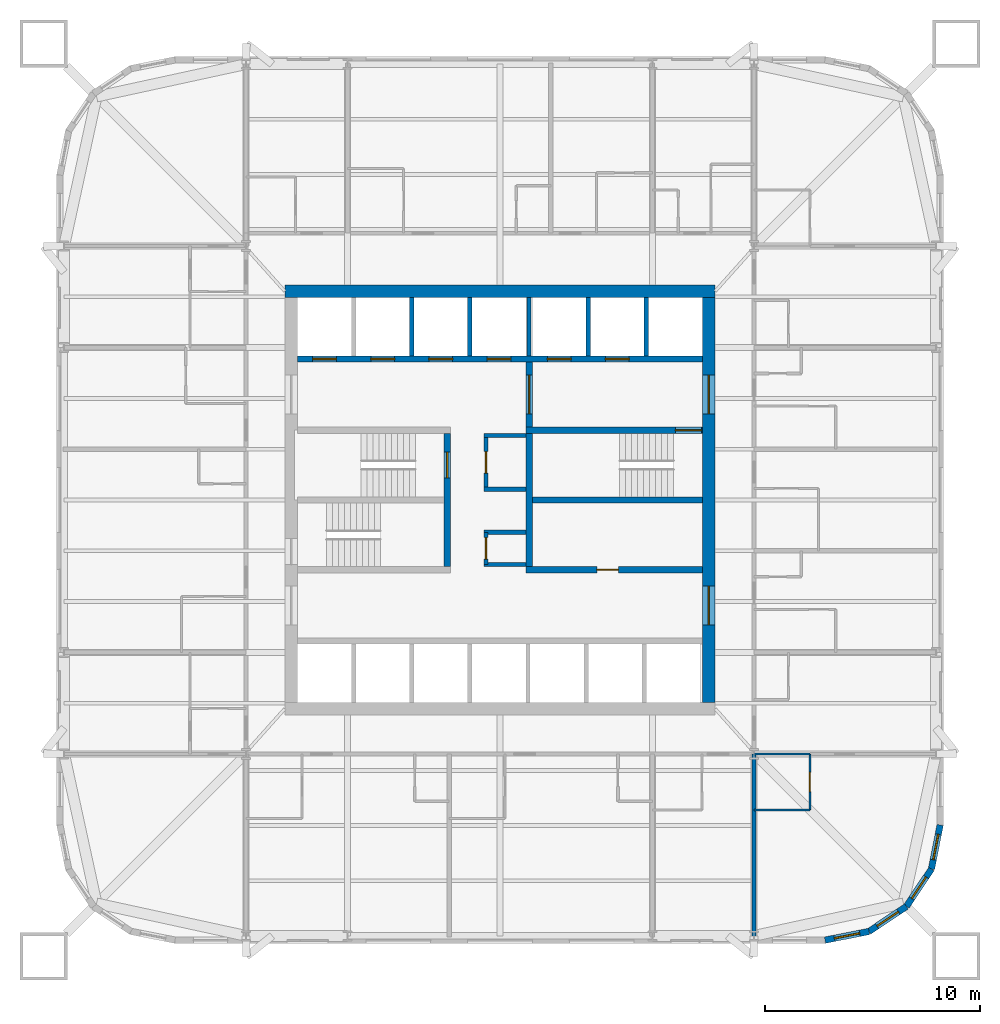
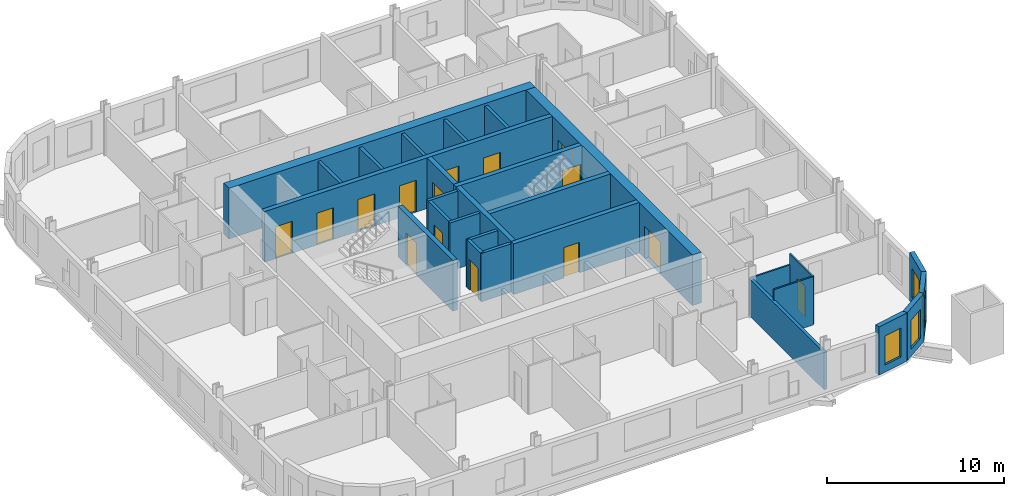
# One storey, part 5 of 9: 27 walls, 15 doors, 4 windows, 19 openings.
"""IFC4 building model written with IfcOpenShell, lengths in metres."""

from ifc_helpers import new_model, si_unit, direction, frame, frame_2d, origin, place, context, subcontext, project, spatial, rectangle, extrude, material, layer, layer_set, type_object, element, fill, save


model = new_model("IFC4")

# Units and contexts
model_context = context("Model", 3, precision=1e-05, world=origin(), true_north=direction((0.0, 1.0)))
body_context = subcontext(model_context, "Body", "Model", "MODEL_VIEW")
ifc_project = project(units=[si_unit("LENGTHUNIT", "METRE"), si_unit("AREAUNIT", "SQUARE_METRE"), si_unit("VOLUMEUNIT", "CUBIC_METRE"), si_unit("PLANEANGLEUNIT", "RADIAN"), si_unit("MASSUNIT", "GRAM", prefix="KILO")], contexts=[model_context])

# Site, building, storey
site_placement = place(None, origin())
site = spatial("IfcSite", under=ifc_project, at=site_placement, CompositionType="ELEMENT")
building_placement = place(site_placement, origin())
building = spatial("IfcBuilding", under=site, at=building_placement, Name="Turquesa Mirador Hotel Tower", CompositionType="ELEMENT")
storey_placement = place(building_placement, frame((0.0, 0.0, 107.39990234375)))
storey = spatial("IfcBuildingStorey", under=building, at=storey_placement, Name="L28", CompositionType="ELEMENT", Elevation=107.39990234375)

# Walls
ifc_material_1 = material(Name="Gypsum board on steel studs", Category="steel")
ifc_layer_1 = layer(ifc_material_1, 0.10009765625)
ifc_layer_set_1 = layer_set([ifc_layer_1], Name="BATHROOM WALL 100")
wall_type_1 = type_object("IfcWallType", Name="BATHROOM WALL 100", PredefinedType="PARTITIONING", material=ifc_layer_set_1)
wall_1_placement = place(storey_placement, frame((66.800048828125, 33.199951171875, 0.0), z_axis=(0.0, 0.0, 1.0), x_axis=(1.0, 0.0, 0.0)))
element("IfcWall", 1, at=wall_1_placement, inside=storey, type_object=wall_type_1, Name="Partition L28 001", PredefinedType="PARTITIONING", context=body_context, shape_type="SweptSolid", body=[
    extrude(rectangle(XDim=2.599853515625, YDim=0.10009765625, at=frame_2d((1.2998046875, 0.0))), origin(), (0.0, 0.0, 1.0), 2.5732421875),
])
wall_2_placement = place(storey_placement, frame((66.800048828125, 30.60009765625, 0.0), z_axis=(0.0, 0.0, 1.0), x_axis=(1.0, 0.0, 0.0)))
element("IfcWall", 2, at=wall_2_placement, inside=storey, type_object=wall_type_1, Name="Partition L28 008", PredefinedType="PARTITIONING", context=body_context, shape_type="SweptSolid", body=[
    extrude(rectangle(XDim=2.599853515625, YDim=0.10009765625, at=frame_2d((1.2998046875, 0.0))), origin(), (0.0, 0.0, 1.0), 3.330078125),
])

# Wall, opening, door
wall_3_placement = place(storey_placement, frame((69.39990234375, 30.60009765625, 0.0), z_axis=(0.0, 0.0, 1.0), x_axis=(0.0, 1.0, 0.0)))
wall_3 = element("IfcWall", 3, at=wall_3_placement, inside=storey, type_object=wall_type_1, Name="Partition L28 067", PredefinedType="PARTITIONING", context=body_context, shape_type="SweptSolid", body=[
    extrude(rectangle(XDim=2.599853515625, YDim=0.10009765625, at=frame_2d((1.2998046875, 0.0))), origin(), (0.0, 0.0, 1.0), 3.330078125),
])
opening_1_placement = place(wall_3_placement, frame((0.85009765625, 0.0, 0.0)))
opening_1 = element("IfcOpeningElement", 4, at=opening_1_placement, cuts=wall_3, Name="Opening D02", PredefinedType="OPENING", context=body_context, shape_type="SweptSolid", body=[
    extrude(rectangle(XDim=0.89990234375, YDim=2.10009765625, at=frame_2d((0.449951171875, 1.050048828125))), frame((0.0, 0.06005859375, 0.0), z_axis=(0.0, -1.0, 0.0), x_axis=(1.0, 0.0, 0.0)), (0.0, 0.0, 1.0), 0.1201171875),
])
ifc_material_2 = material(Name="Timber veneered door", Category="wood")
door_type_1 = type_object("IfcDoorType", Name="DOOR 900X2100 EN-SUITE", OperationType="SINGLE_SWING_RIGHT", PredefinedType="DOOR", material=ifc_material_2)
door_1_placement = place(opening_1_placement, origin())
door_1 = element("IfcDoor", 5, at=door_1_placement, inside=storey, type_object=door_type_1, Name="Door 2816B", OperationType="SINGLE_SWING_RIGHT", OverallHeight=2.10009765625, OverallWidth=0.89990234375, PredefinedType="DOOR", context=body_context, shape_type="SweptSolid", body=[
    extrude(rectangle(XDim=0.89990234375, YDim=2.10009765625, at=frame_2d((0.449951171875, 1.050048828125))), frame((0.0, 0.02490234375, 0.0), z_axis=(0.0, -1.0, 0.0), x_axis=(1.0, 0.0, 0.0)), (0.0, 0.0, 1.0), 0.050048828125),
])
fill(opening_1, door_1)

# Wall, openings, doors
ifc_material_3 = material(Name="Concrete C50/60", Category="concrete")
ifc_layer_2 = layer(ifc_material_3, 0.300048828125)
ifc_layer_set_2 = layer_set([ifc_layer_2], Name="CORE INNER WALL 300")
wall_type_2 = type_object("IfcWallType", Name="CORE INNER WALL 300", PredefinedType="SHEAR", material=ifc_layer_set_2)
wall_4_placement = place(storey_placement, frame((45.60009765625, 51.550048828125, 0.0), z_axis=(0.0, 0.0, 1.0), x_axis=(1.0, 0.0, 0.0)))
wall_4 = element("IfcWall", 6, at=wall_4_placement, inside=storey, type_object=wall_type_2, Name="Core wall NL", PredefinedType="SHEAR", context=body_context, shape_type="SweptSolid", body=[
    extrude(rectangle(XDim=18.7998046875, YDim=0.300048828125, at=frame_2d((9.39990234375, 0.0))), origin(), (0.0, 0.0, 1.0), 3.5),
])
opening_2_placement = place(wall_4_placement, frame((0.699951171875, 0.0, 0.0)))
opening_2 = element("IfcOpeningElement", 7, at=opening_2_placement, cuts=wall_4, Name="Opening LD", PredefinedType="OPENING", context=body_context, shape_type="SweptSolid", body=[
    extrude(rectangle(XDim=1.10009765625, YDim=2.199951171875, at=frame_2d((0.550048828125, 1.10009765625))), frame((0.0, 0.159912109375, 0.0), z_axis=(0.0, -1.0, 0.0), x_axis=(1.0, 0.0, 0.0)), (0.0, 0.0, 1.0), 0.320068359375),
])
opening_3_placement = place(wall_4_placement, frame((3.39990234375, 0.0, 0.0)))
opening_3 = element("IfcOpeningElement", 8, at=opening_3_placement, cuts=wall_4, Name="Opening LD", PredefinedType="OPENING", context=body_context, shape_type="SweptSolid", body=[
    extrude(rectangle(XDim=1.10009765625, YDim=2.199951171875, at=frame_2d((0.550048828125, 1.10009765625))), frame((0.0, 0.159912109375, 0.0), z_axis=(0.0, -1.0, 0.0), x_axis=(1.0, 0.0, 0.0)), (0.0, 0.0, 1.0), 0.320068359375),
])
opening_4_placement = place(wall_4_placement, frame((6.10009765625, 0.0, 0.0)))
opening_4 = element("IfcOpeningElement", 9, at=opening_4_placement, cuts=wall_4, Name="Opening LD", PredefinedType="OPENING", context=body_context, shape_type="SweptSolid", body=[
    extrude(rectangle(XDim=1.10009765625, YDim=2.199951171875, at=frame_2d((0.550048828125, 1.10009765625))), frame((0.0, 0.159912109375, 0.0), z_axis=(0.0, -1.0, 0.0), x_axis=(1.0, 0.0, 0.0)), (0.0, 0.0, 1.0), 0.320068359375),
])
opening_5_placement = place(wall_4_placement, frame((8.800048828125, 0.0, 0.0)))
opening_5 = element("IfcOpeningElement", 10, at=opening_5_placement, cuts=wall_4, Name="Opening LD", PredefinedType="OPENING", context=body_context, shape_type="SweptSolid", body=[
    extrude(rectangle(XDim=1.10009765625, YDim=2.199951171875, at=frame_2d((0.550048828125, 1.10009765625))), frame((0.0, 0.159912109375, 0.0), z_axis=(0.0, -1.0, 0.0), x_axis=(1.0, 0.0, 0.0)), (0.0, 0.0, 1.0), 0.320068359375),
])
opening_6_placement = place(wall_4_placement, frame((11.60009765625, 0.0, 0.0)))
opening_6 = element("IfcOpeningElement", 11, at=opening_6_placement, cuts=wall_4, Name="Opening LD", PredefinedType="OPENING", context=body_context, shape_type="SweptSolid", body=[
    extrude(rectangle(XDim=1.10009765625, YDim=2.199951171875, at=frame_2d((0.550048828125, 1.10009765625))), frame((0.0, 0.159912109375, 0.0), z_axis=(0.0, -1.0, 0.0), x_axis=(1.0, 0.0, 0.0)), (0.0, 0.0, 1.0), 0.320068359375),
])
opening_7_placement = place(wall_4_placement, frame((14.300048828125, 0.0, 0.0)))
opening_7 = element("IfcOpeningElement", 12, at=opening_7_placement, cuts=wall_4, Name="Opening LD", PredefinedType="OPENING", context=body_context, shape_type="SweptSolid", body=[
    extrude(rectangle(XDim=1.10009765625, YDim=2.199951171875, at=frame_2d((0.550048828125, 1.10009765625))), frame((0.0, 0.159912109375, 0.0), z_axis=(0.0, -1.0, 0.0), x_axis=(1.0, 0.0, 0.0)), (0.0, 0.0, 1.0), 0.320068359375),
])
ifc_material_4 = material(Name="Stainless steel lift landing door", Category="steel")
door_type_2 = type_object("IfcDoorType", Name="LIFT LANDING DOOR 1100X2200", OperationType="SLIDING_TO_LEFT", PredefinedType="DOOR", material=ifc_material_4)
door_2_placement = place(opening_2_placement, origin())
door_2 = element("IfcDoor", 13, at=door_2_placement, inside=storey, type_object=door_type_2, Name="Lift A1 landing door", OperationType="SLIDING_TO_LEFT", OverallHeight=2.199951171875, OverallWidth=1.10009765625, PredefinedType="DOOR", context=body_context, shape_type="SweptSolid", body=[
    extrude(rectangle(XDim=1.10009765625, YDim=2.199951171875, at=frame_2d((0.550048828125, 1.10009765625))), frame((0.0, 0.02490234375, 0.0), z_axis=(0.0, -1.0, 0.0), x_axis=(1.0, 0.0, 0.0)), (0.0, 0.0, 1.0), 0.050048828125),
])
fill(opening_2, door_2)
door_3_placement = place(opening_3_placement, origin())
door_3 = element("IfcDoor", 14, at=door_3_placement, inside=storey, type_object=door_type_2, Name="Lift A2 landing door", OperationType="SLIDING_TO_LEFT", OverallHeight=2.199951171875, OverallWidth=1.10009765625, PredefinedType="DOOR", context=body_context, shape_type="SweptSolid", body=[
    extrude(rectangle(XDim=1.10009765625, YDim=2.199951171875, at=frame_2d((0.550048828125, 1.10009765625))), frame((0.0, 0.02490234375, 0.0), z_axis=(0.0, -1.0, 0.0), x_axis=(1.0, 0.0, 0.0)), (0.0, 0.0, 1.0), 0.050048828125),
])
fill(opening_3, door_3)
door_4_placement = place(opening_4_placement, origin())
door_4 = element("IfcDoor", 15, at=door_4_placement, inside=storey, type_object=door_type_2, Name="Lift A3 landing door", OperationType="SLIDING_TO_LEFT", OverallHeight=2.199951171875, OverallWidth=1.10009765625, PredefinedType="DOOR", context=body_context, shape_type="SweptSolid", body=[
    extrude(rectangle(XDim=1.10009765625, YDim=2.199951171875, at=frame_2d((0.550048828125, 1.10009765625))), frame((0.0, 0.02490234375, 0.0), z_axis=(0.0, -1.0, 0.0), x_axis=(1.0, 0.0, 0.0)), (0.0, 0.0, 1.0), 0.050048828125),
])
fill(opening_4, door_4)
door_5_placement = place(opening_5_placement, origin())
door_5 = element("IfcDoor", 16, at=door_5_placement, inside=storey, type_object=door_type_2, Name="Lift A4 landing door", OperationType="SLIDING_TO_LEFT", OverallHeight=2.199951171875, OverallWidth=1.10009765625, PredefinedType="DOOR", context=body_context, shape_type="SweptSolid", body=[
    extrude(rectangle(XDim=1.10009765625, YDim=2.199951171875, at=frame_2d((0.550048828125, 1.10009765625))), frame((0.0, 0.02490234375, 0.0), z_axis=(0.0, -1.0, 0.0), x_axis=(1.0, 0.0, 0.0)), (0.0, 0.0, 1.0), 0.050048828125),
])
fill(opening_5, door_5)
door_6_placement = place(opening_6_placement, origin())
door_6 = element("IfcDoor", 17, at=door_6_placement, inside=storey, type_object=door_type_2, Name="Lift S1 landing door", OperationType="SLIDING_TO_LEFT", OverallHeight=2.199951171875, OverallWidth=1.10009765625, PredefinedType="DOOR", context=body_context, shape_type="SweptSolid", body=[
    extrude(rectangle(XDim=1.10009765625, YDim=2.199951171875, at=frame_2d((0.550048828125, 1.10009765625))), frame((0.0, 0.02490234375, 0.0), z_axis=(0.0, -1.0, 0.0), x_axis=(1.0, 0.0, 0.0)), (0.0, 0.0, 1.0), 0.050048828125),
])
fill(opening_6, door_6)
door_7_placement = place(opening_7_placement, origin())
door_7 = element("IfcDoor", 18, at=door_7_placement, inside=storey, type_object=door_type_2, Name="Lift S2 landing door", OperationType="SLIDING_TO_LEFT", OverallHeight=2.199951171875, OverallWidth=1.10009765625, PredefinedType="DOOR", context=body_context, shape_type="SweptSolid", body=[
    extrude(rectangle(XDim=1.10009765625, YDim=2.199951171875, at=frame_2d((0.550048828125, 1.10009765625))), frame((0.0, 0.02490234375, 0.0), z_axis=(0.0, -1.0, 0.0), x_axis=(1.0, 0.0, 0.0)), (0.0, 0.0, 1.0), 0.050048828125),
])
fill(opening_7, door_7)

# Wall, opening, door
wall_5_placement = place(storey_placement, frame((56.199951171875, 48.25, 0.0), z_axis=(0.0, 0.0, 1.0), x_axis=(1.0, 0.0, 0.0)))
wall_5 = element("IfcWall", 19, at=wall_5_placement, inside=storey, type_object=wall_type_2, Name="Core wall MN-E", PredefinedType="SHEAR", context=body_context, shape_type="SweptSolid", body=[
    extrude(rectangle(XDim=8.199951171875, YDim=0.300048828125, at=frame_2d((4.10009765625, 0.0))), origin(), (0.0, 0.0, 1.0), 3.5),
])
opening_8_placement = place(wall_5_placement, frame((6.949951171875, 0.0, 0.0)))
opening_8 = element("IfcOpeningElement", 20, at=opening_8_placement, cuts=wall_5, Name="Opening D03", PredefinedType="OPENING", context=body_context, shape_type="SweptSolid", body=[
    extrude(rectangle(XDim=1.199951171875, YDim=2.199951171875, at=frame_2d((0.60009765625, 1.10009765625))), frame((0.0, 0.159912109375, 0.0), z_axis=(0.0, -1.0, 0.0), x_axis=(1.0, 0.0, 0.0)), (0.0, 0.0, 1.0), 0.320068359375),
])
ifc_material_5 = material(Name="Steel fire door", Category="steel")
door_type_3 = type_object("IfcDoorType", Name="DOOR 1200X2200 STAIR", OperationType="SINGLE_SWING_LEFT", PredefinedType="DOOR", material=ifc_material_5)
door_8_placement = place(opening_8_placement, origin())
door_8 = element("IfcDoor", 21, at=door_8_placement, inside=storey, type_object=door_type_3, Name="Stair ST3 door", OperationType="SINGLE_SWING_LEFT", OverallHeight=2.199951171875, OverallWidth=1.199951171875, PredefinedType="DOOR", context=body_context, shape_type="SweptSolid", body=[
    extrude(rectangle(XDim=1.199951171875, YDim=2.199951171875, at=frame_2d((0.60009765625, 1.10009765625))), frame((0.0, 0.02490234375, 0.0), z_axis=(0.0, -1.0, 0.0), x_axis=(1.0, 0.0, 0.0)), (0.0, 0.0, 1.0), 0.050048828125),
])
fill(opening_8, door_8)

wall_6_placement = place(storey_placement, frame((56.199951171875, 41.75, 0.0), z_axis=(0.0, 0.0, 1.0), x_axis=(1.0, 0.0, 0.0)))
wall_6 = element("IfcWall", 22, at=wall_6_placement, inside=storey, type_object=wall_type_2, Name="Core wall MS-E", PredefinedType="SHEAR", context=body_context, shape_type="SweptSolid", body=[
    extrude(rectangle(XDim=8.199951171875, YDim=0.300048828125, at=frame_2d((4.10009765625, 0.0))), origin(), (0.0, 0.0, 1.0), 3.5),
])
opening_9_placement = place(wall_6_placement, frame((3.300048828125, 0.0, 0.0)))
opening_9 = element("IfcOpeningElement", 23, at=opening_9_placement, cuts=wall_6, Name="Opening D05", PredefinedType="OPENING", context=body_context, shape_type="SweptSolid", body=[
    extrude(rectangle(XDim=1.0, YDim=2.10009765625, at=frame_2d((0.5, 1.050048828125))), frame((0.0, 0.159912109375, 0.0), z_axis=(0.0, -1.0, 0.0), x_axis=(1.0, 0.0, 0.0)), (0.0, 0.0, 1.0), 0.320068359375),
])
ifc_material_6 = material(Name="Steel fire door", Category="steel")
door_type_4 = type_object("IfcDoorType", Name="DOOR 1000X2100 SERVICE", OperationType="SINGLE_SWING_LEFT", PredefinedType="DOOR", material=ifc_material_6)
door_9_placement = place(opening_9_placement, origin())
door_9 = element("IfcDoor", 24, at=door_9_placement, inside=storey, type_object=door_type_4, Name="Housekeeping room door", OperationType="SINGLE_SWING_LEFT", OverallHeight=2.10009765625, OverallWidth=1.0, PredefinedType="DOOR", context=body_context, shape_type="SweptSolid", body=[
    extrude(rectangle(XDim=1.0, YDim=2.10009765625, at=frame_2d((0.5, 1.050048828125))), frame((0.0, 0.02490234375, 0.0), z_axis=(0.0, -1.0, 0.0), x_axis=(1.0, 0.0, 0.0)), (0.0, 0.0, 1.0), 0.050048828125),
])
fill(opening_9, door_9)

wall_7_placement = place(storey_placement, frame((52.550048828125, 41.89990234375, 0.0), z_axis=(0.0, 0.0, 1.0), x_axis=(0.0, 1.0, 0.0)))
wall_7 = element("IfcWall", 25, at=wall_7_placement, inside=storey, type_object=wall_type_2, Name="Core wall PW", PredefinedType="SHEAR", context=body_context, shape_type="SweptSolid", body=[
    extrude(rectangle(XDim=6.2001953125, YDim=0.300048828125, at=frame_2d((3.10009765625, 0.0))), origin(), (0.0, 0.0, 1.0), 3.5),
])
opening_10_placement = place(wall_7_placement, frame((4.125, 0.0, 0.0)))
opening_10 = element("IfcOpeningElement", 26, at=opening_10_placement, cuts=wall_7, Name="Opening D03", PredefinedType="OPENING", context=body_context, shape_type="SweptSolid", body=[
    extrude(rectangle(XDim=1.199951171875, YDim=2.199951171875, at=frame_2d((0.60009765625, 1.10009765625))), frame((0.0, 0.159912109375, 0.0), z_axis=(0.0, -1.0, 0.0), x_axis=(1.0, 0.0, 0.0)), (0.0, 0.0, 1.0), 0.320068359375),
])
door_10_placement = place(opening_10_placement, origin())
door_10 = element("IfcDoor", 27, at=door_10_placement, inside=storey, type_object=door_type_3, Name="Stair ST1 door", OperationType="SINGLE_SWING_LEFT", OverallHeight=2.199951171875, OverallWidth=1.199951171875, PredefinedType="DOOR", context=body_context, shape_type="SweptSolid", body=[
    extrude(rectangle(XDim=1.199951171875, YDim=2.199951171875, at=frame_2d((0.60009765625, 1.10009765625))), frame((0.0, 0.02490234375, 0.0), z_axis=(0.0, -1.0, 0.0), x_axis=(1.0, 0.0, 0.0)), (0.0, 0.0, 1.0), 0.050048828125),
])
fill(opening_10, door_10)

wall_8_placement = place(storey_placement, frame((56.35009765625, 41.89990234375, 0.0), z_axis=(0.0, 0.0, 1.0), x_axis=(0.0, 1.0, 0.0)))
wall_8 = element("IfcWall", 28, at=wall_8_placement, inside=storey, type_object=wall_type_2, Name="Core wall PE", PredefinedType="SHEAR", context=body_context, shape_type="SweptSolid", body=[
    extrude(rectangle(XDim=9.5, YDim=0.300048828125, at=frame_2d((4.75, 0.0))), origin(), (0.0, 0.0, 1.0), 3.5),
])
opening_11_placement = place(wall_8_placement, frame((7.10009765625, 0.0, 0.0)))
opening_11 = element("IfcOpeningElement", 29, at=opening_11_placement, cuts=wall_8, Name="Opening D04", PredefinedType="OPENING", context=body_context, shape_type="SweptSolid", body=[
    extrude(rectangle(XDim=1.800048828125, YDim=2.199951171875, at=frame_2d((0.89990234375, 1.10009765625))), frame((0.0, 0.159912109375, 0.0), z_axis=(0.0, -1.0, 0.0), x_axis=(1.0, 0.0, 0.0)), (0.0, 0.0, 1.0), 0.320068359375),
])
ifc_material_7 = material(Name="Steel fire door pair", Category="steel")
door_type_5 = type_object("IfcDoorType", Name="DOOR 1800X2200 PAIR", OperationType="DOUBLE_DOOR_SINGLE_SWING", PredefinedType="DOOR", material=ifc_material_7)
door_11_placement = place(opening_11_placement, origin())
door_11 = element("IfcDoor", 30, at=door_11_placement, inside=storey, type_object=door_type_5, Name="Firefighting lobby inner door", OperationType="DOUBLE_DOOR_SINGLE_SWING", OverallHeight=2.199951171875, OverallWidth=1.800048828125, PredefinedType="DOOR", context=body_context, shape_type="SweptSolid", body=[
    extrude(rectangle(XDim=1.800048828125, YDim=2.199951171875, at=frame_2d((0.89990234375, 1.10009765625))), frame((0.0, 0.02490234375, 0.0), z_axis=(0.0, -1.0, 0.0), x_axis=(1.0, 0.0, 0.0)), (0.0, 0.0, 1.0), 0.050048828125),
])
fill(opening_11, door_11)

# Walls
wall_9_placement = place(storey_placement, frame((56.5, 45.0, 0.0), z_axis=(0.0, 0.0, 1.0), x_axis=(1.0, 0.0, 0.0)))
element("IfcWall", 31, at=wall_9_placement, inside=storey, type_object=wall_type_2, Name="Core wall M0-E", PredefinedType="SHEAR", context=body_context, shape_type="SweptSolid", body=[
    extrude(rectangle(XDim=7.89990234375, YDim=0.300048828125, at=frame_2d((3.949951171875, 0.0))), origin(), (0.0, 0.0, 1.0), 3.5),
])
ifc_material_8 = material(Name="Concrete C50/60", Category="concrete")
ifc_layer_3 = layer(ifc_material_8, 0.60009765625)
ifc_layer_set_3 = layer_set([ifc_layer_3], Name="CORE WALL 600")
wall_type_3 = type_object("IfcWallType", Name="CORE WALL 600", PredefinedType="SHEAR", material=ifc_layer_set_3)
wall_10_placement = place(storey_placement, frame((45.0, 54.699951171875, 0.0), z_axis=(0.0, 0.0, 1.0), x_axis=(1.0, 0.0, 0.0)))
element("IfcWall", 32, at=wall_10_placement, inside=storey, type_object=wall_type_3, Name="Core wall N", PredefinedType="SHEAR", context=body_context, shape_type="SweptSolid", body=[
    extrude(rectangle(XDim=20.0, YDim=0.60009765625, at=frame_2d((10.0, 0.0))), origin(), (0.0, 0.0, 1.0), 3.5),
])

# Wall, openings, doors
wall_11_placement = place(storey_placement, frame((64.699951171875, 35.60009765625, 0.0), z_axis=(0.0, 0.0, 1.0), x_axis=(0.0, 1.0, 0.0)))
wall_11 = element("IfcWall", 33, at=wall_11_placement, inside=storey, type_object=wall_type_3, Name="Core wall E", PredefinedType="SHEAR", context=body_context, shape_type="SweptSolid", body=[
    extrude(rectangle(XDim=18.7998046875, YDim=0.60009765625, at=frame_2d((9.39990234375, 0.0))), origin(), (0.0, 0.0, 1.0), 3.5),
])
opening_12_placement = place(wall_11_placement, frame((13.39990234375, 0.0, 0.0)))
opening_12 = element("IfcOpeningElement", 34, at=opening_12_placement, cuts=wall_11, Name="Opening D04", PredefinedType="OPENING", context=body_context, shape_type="SweptSolid", body=[
    extrude(rectangle(XDim=1.800048828125, YDim=2.199951171875, at=frame_2d((0.89990234375, 1.10009765625))), frame((0.0, 0.31005859375, 0.0), z_axis=(0.0, -1.0, 0.0), x_axis=(1.0, 0.0, 0.0)), (0.0, 0.0, 1.0), 0.6201171875),
])
opening_13_placement = place(wall_11_placement, frame((3.60009765625, 0.0, 0.0)))
opening_13 = element("IfcOpeningElement", 35, at=opening_13_placement, cuts=wall_11, Name="Opening D04", PredefinedType="OPENING", context=body_context, shape_type="SweptSolid", body=[
    extrude(rectangle(XDim=1.800048828125, YDim=2.199951171875, at=frame_2d((0.89990234375, 1.10009765625))), frame((0.0, 0.31005859375, 0.0), z_axis=(0.0, -1.0, 0.0), x_axis=(1.0, 0.0, 0.0)), (0.0, 0.0, 1.0), 0.6201171875),
])
door_12_placement = place(opening_12_placement, origin())
door_12 = element("IfcDoor", 36, at=door_12_placement, inside=storey, type_object=door_type_5, Name="Firefighting lobby door", OperationType="DOUBLE_DOOR_SINGLE_SWING", OverallHeight=2.199951171875, OverallWidth=1.800048828125, PredefinedType="DOOR", context=body_context, shape_type="SweptSolid", body=[
    extrude(rectangle(XDim=1.800048828125, YDim=2.199951171875, at=frame_2d((0.89990234375, 1.10009765625))), frame((0.0, 0.02490234375, 0.0), z_axis=(0.0, -1.0, 0.0), x_axis=(1.0, 0.0, 0.0)), (0.0, 0.0, 1.0), 0.050048828125),
])
fill(opening_12, door_12)
door_13_placement = place(opening_13_placement, origin())
door_13 = element("IfcDoor", 37, at=door_13_placement, inside=storey, type_object=door_type_5, Name="South lift lobby door", OperationType="DOUBLE_DOOR_SINGLE_SWING", OverallHeight=2.199951171875, OverallWidth=1.800048828125, PredefinedType="DOOR", context=body_context, shape_type="SweptSolid", body=[
    extrude(rectangle(XDim=1.800048828125, YDim=2.199951171875, at=frame_2d((0.89990234375, 1.10009765625))), frame((0.0, 0.02490234375, 0.0), z_axis=(0.0, -1.0, 0.0), x_axis=(1.0, 0.0, 0.0)), (0.0, 0.0, 1.0), 0.050048828125),
])
fill(opening_13, door_13)

# Wall, opening, window
ifc_material_9 = material(Name="Limestone cladding on concrete block", Category="masonry")
ifc_layer_4 = layer(ifc_material_9, 0.300048828125)
ifc_layer_set_4 = layer_set([ifc_layer_4], Name="FACADE WALL 300 STONE SCREEN")
wall_type_4 = type_object("IfcWallType", Name="FACADE WALL 300 STONE SCREEN", PredefinedType="SOLIDWALL", material=ifc_layer_set_4)
wall_12_placement = place(storey_placement, frame((70.10009765625, 24.550048828125, 0.0), z_axis=(0.0, 0.0, 1.0), x_axis=(0.980787050784, 0.195081421501, 0.0)))
wall_12 = element("IfcWall", 38, at=wall_12_placement, inside=storey, type_object=wall_type_4, Name="Facade wall L28 00", PredefinedType="SOLIDWALL", context=body_context, shape_type="SweptSolid", body=[
    extrude(rectangle(XDim=2.08740234375, YDim=0.300048828125, at=frame_2d((1.043701171875, 0.0))), origin(), (0.0, 0.0, 1.0), 3.330078125),
])
opening_14_placement = place(wall_12_placement, frame((0.443603515625, 0.0, 0.5)))
opening_14 = element("IfcOpeningElement", 39, at=opening_14_placement, cuts=wall_12, Name="Opening WN4", PredefinedType="OPENING", context=body_context, shape_type="SweptSolid", body=[
    extrude(rectangle(XDim=1.199951171875, YDim=2.0, at=frame_2d((0.60009765625, 1.0))), frame((0.0, 0.159912109375, 0.0), z_axis=(0.0, -1.0, 0.0), x_axis=(1.0, 0.0, 0.0)), (0.0, 0.0, 1.0), 0.320068359375),
])
ifc_material_10 = material(Name="Ceramic-fritted laminated glass", Category="glass")
window_type = type_object("IfcWindowType", Name="FRITTED CORNER WINDOW 1200X2000", PartitioningType="DOUBLE_PANEL_HORIZONTAL", PredefinedType="WINDOW", material=ifc_material_10)
window_1_placement = place(opening_14_placement, origin())
window_1 = element("IfcWindow", 40, at=window_1_placement, inside=storey, type_object=window_type, Name="Window L28", OverallHeight=2.0, OverallWidth=1.199951171875, PartitioningType="SINGLE_PANEL", PredefinedType="WINDOW", context=body_context, shape_type="SweptSolid", body=[
    extrude(rectangle(XDim=1.199951171875, YDim=2.0, at=frame_2d((0.60009765625, 1.0))), frame((0.0, 0.030029296875, 0.0), z_axis=(0.0, -1.0, 0.0), x_axis=(1.0, 0.0, 0.0)), (0.0, 0.0, 1.0), 0.06005859375),
])
fill(opening_14, window_1)

wall_13_placement = place(storey_placement, frame((72.1474609375, 24.957275390625, 0.0), z_axis=(0.0, 0.0, 1.0), x_axis=(0.831474039234, 0.555563607591, 0.0)))
wall_13 = element("IfcWall", 41, at=wall_13_placement, inside=storey, type_object=wall_type_4, Name="Facade wall L28 01", PredefinedType="SOLIDWALL", context=body_context, shape_type="SweptSolid", body=[
    extrude(rectangle(XDim=2.08740234375, YDim=0.300048828125, at=frame_2d((1.043701171875, 0.0))), origin(), (0.0, 0.0, 1.0), 3.330078125),
])
opening_15_placement = place(wall_13_placement, frame((0.443603515625, 0.0, 0.5)))
opening_15 = element("IfcOpeningElement", 42, at=opening_15_placement, cuts=wall_13, Name="Opening WN4", PredefinedType="OPENING", context=body_context, shape_type="SweptSolid", body=[
    extrude(rectangle(XDim=1.199951171875, YDim=2.0, at=frame_2d((0.60009765625, 1.0))), frame((0.0, 0.159912109375, 0.0), z_axis=(0.0, -1.0, 0.0), x_axis=(1.0, 0.0, 0.0)), (0.0, 0.0, 1.0), 0.320068359375),
])
window_2_placement = place(opening_15_placement, origin())
window_2 = element("IfcWindow", 43, at=window_2_placement, inside=storey, type_object=window_type, Name="Window L28", OverallHeight=2.0, OverallWidth=1.199951171875, PartitioningType="SINGLE_PANEL", PredefinedType="WINDOW", context=body_context, shape_type="SweptSolid", body=[
    extrude(rectangle(XDim=1.199951171875, YDim=2.0, at=frame_2d((0.60009765625, 1.0))), frame((0.0, 0.030029296875, 0.0), z_axis=(0.0, -1.0, 0.0), x_axis=(1.0, 0.0, 0.0)), (0.0, 0.0, 1.0), 0.06005859375),
])
fill(opening_15, window_2)

wall_14_placement = place(storey_placement, frame((73.883056640625, 26.116943359375, 0.0), z_axis=(0.0, 0.0, 1.0), x_axis=(0.555563607591, 0.831474039234, 0.0)))
wall_14 = element("IfcWall", 44, at=wall_14_placement, inside=storey, type_object=wall_type_4, Name="Facade wall L28 02", PredefinedType="SOLIDWALL", context=body_context, shape_type="SweptSolid", body=[
    extrude(rectangle(XDim=2.08740234375, YDim=0.300048828125, at=frame_2d((1.043701171875, 0.0))), origin(), (0.0, 0.0, 1.0), 3.330078125),
])
opening_16_placement = place(wall_14_placement, frame((0.443603515625, 0.0, 0.5)))
opening_16 = element("IfcOpeningElement", 45, at=opening_16_placement, cuts=wall_14, Name="Opening WN4", PredefinedType="OPENING", context=body_context, shape_type="SweptSolid", body=[
    extrude(rectangle(XDim=1.199951171875, YDim=2.0, at=frame_2d((0.60009765625, 1.0))), frame((0.0, 0.159912109375, 0.0), z_axis=(0.0, -1.0, 0.0), x_axis=(1.0, 0.0, 0.0)), (0.0, 0.0, 1.0), 0.320068359375),
])
window_3_placement = place(opening_16_placement, origin())
window_3 = element("IfcWindow", 46, at=window_3_placement, inside=storey, type_object=window_type, Name="Window L28", OverallHeight=2.0, OverallWidth=1.199951171875, PartitioningType="SINGLE_PANEL", PredefinedType="WINDOW", context=body_context, shape_type="SweptSolid", body=[
    extrude(rectangle(XDim=1.199951171875, YDim=2.0, at=frame_2d((0.60009765625, 1.0))), frame((0.0, 0.030029296875, 0.0), z_axis=(0.0, -1.0, 0.0), x_axis=(1.0, 0.0, 0.0)), (0.0, 0.0, 1.0), 0.06005859375),
])
fill(opening_16, window_3)

wall_15_placement = place(storey_placement, frame((75.042724609375, 27.8525390625, 0.0), z_axis=(0.0, 0.0, 1.0), x_axis=(0.195081421501, 0.980787050784, 0.0)))
wall_15 = element("IfcWall", 47, at=wall_15_placement, inside=storey, type_object=wall_type_4, Name="Facade wall L28 03", PredefinedType="SOLIDWALL", context=body_context, shape_type="SweptSolid", body=[
    extrude(rectangle(XDim=2.08740234375, YDim=0.300048828125, at=frame_2d((1.043701171875, 0.0))), origin(), (0.0, 0.0, 1.0), 3.330078125),
])
opening_17_placement = place(wall_15_placement, frame((0.443603515625, 0.0, 0.5)))
opening_17 = element("IfcOpeningElement", 48, at=opening_17_placement, cuts=wall_15, Name="Opening WN4", PredefinedType="OPENING", context=body_context, shape_type="SweptSolid", body=[
    extrude(rectangle(XDim=1.199951171875, YDim=2.0, at=frame_2d((0.60009765625, 1.0))), frame((0.0, 0.159912109375, 0.0), z_axis=(0.0, -1.0, 0.0), x_axis=(1.0, 0.0, 0.0)), (0.0, 0.0, 1.0), 0.320068359375),
])
window_4_placement = place(opening_17_placement, origin())
window_4 = element("IfcWindow", 49, at=window_4_placement, inside=storey, type_object=window_type, Name="Window L28", OverallHeight=2.0, OverallWidth=1.199951171875, PartitioningType="SINGLE_PANEL", PredefinedType="WINDOW", context=body_context, shape_type="SweptSolid", body=[
    extrude(rectangle(XDim=1.199951171875, YDim=2.0, at=frame_2d((0.60009765625, 1.0))), frame((0.0, 0.030029296875, 0.0), z_axis=(0.0, -1.0, 0.0), x_axis=(1.0, 0.0, 0.0)), (0.0, 0.0, 1.0), 0.06005859375),
])
fill(opening_17, window_4)

# Wall, opening, door
ifc_material_11 = material(Name="Fire-rated gypsum board on steel studs", Category="steel")
ifc_layer_5 = layer(ifc_material_11, 0.199951171875)
ifc_layer_set_5 = layer_set([ifc_layer_5], Name="FIRE PARTITION 200")
wall_type_5 = type_object("IfcWallType", Name="FIRE PARTITION 200", PredefinedType="PARTITIONING", material=ifc_layer_set_5)
wall_16_placement = place(storey_placement, frame((54.35009765625, 42.0, 0.0), z_axis=(0.0, 0.0, 1.0), x_axis=(0.0, 1.0, 0.0)))
wall_16 = element("IfcWall", 50, at=wall_16_placement, inside=storey, type_object=wall_type_5, Name="Partition L28 SW W", PredefinedType="PARTITIONING", context=body_context, shape_type="SweptSolid", body=[
    extrude(rectangle(XDim=1.5, YDim=0.199951171875, at=frame_2d((0.75, 0.0))), origin(), (0.0, 0.0, 1.0), 3.330078125),
])
opening_18_placement = place(wall_16_placement, frame((0.25, 0.0, 0.0)))
opening_18 = element("IfcOpeningElement", 51, at=opening_18_placement, cuts=wall_16, Name="Opening D05", PredefinedType="OPENING", context=body_context, shape_type="SweptSolid", body=[
    extrude(rectangle(XDim=1.0, YDim=2.10009765625, at=frame_2d((0.5, 1.050048828125))), frame((0.0, 0.10986328125, 0.0), z_axis=(0.0, -1.0, 0.0), x_axis=(1.0, 0.0, 0.0)), (0.0, 0.0, 1.0), 0.219970703125),
])
door_14_placement = place(opening_18_placement, origin())
door_14 = element("IfcDoor", 52, at=door_14_placement, inside=storey, type_object=door_type_4, Name="Staff WC door", OperationType="SINGLE_SWING_LEFT", OverallHeight=2.10009765625, OverallWidth=1.0, PredefinedType="DOOR", context=body_context, shape_type="SweptSolid", body=[
    extrude(rectangle(XDim=1.0, YDim=2.10009765625, at=frame_2d((0.5, 1.050048828125))), frame((0.0, 0.02490234375, 0.0), z_axis=(0.0, -1.0, 0.0), x_axis=(1.0, 0.0, 0.0)), (0.0, 0.0, 1.0), 0.050048828125),
])
fill(opening_18, door_14)

# Walls
for number, where, z_axis, x_axis, name in (
    (53, (54.25, 42.0, 0.0), (0.0, 0.0, 1.0), (1.0, 0.0, 0.0), "Partition L28 SW S"),
    (54, (54.25, 43.5, 0.0), (0.0, 0.0, 1.0), (1.0, 0.0, 0.0), "Partition L28 SW N"),
):
    element("IfcWall", number, at=place(storey_placement, frame(where, z_axis=z_axis, x_axis=x_axis)), inside=storey, type_object=wall_type_5, Name=name, PredefinedType="PARTITIONING", context=body_context, shape_type="SweptSolid", body=[
        extrude(rectangle(XDim=1.949951171875, YDim=0.199951171875, at=frame_2d((0.97509765625, 0.0))), origin(), (0.0, 0.0, 1.0), 3.330078125),
    ])

# Wall, opening, door
wall_17_placement = place(storey_placement, frame((54.35009765625, 45.5, 0.0), z_axis=(0.0, 0.0, 1.0), x_axis=(0.0, 1.0, 0.0)))
wall_17 = element("IfcWall", 55, at=wall_17_placement, inside=storey, type_object=wall_type_5, Name="Partition L28 RS W", PredefinedType="PARTITIONING", context=body_context, shape_type="SweptSolid", body=[
    extrude(rectangle(XDim=2.5, YDim=0.199951171875, at=frame_2d((1.25, 0.0))), origin(), (0.0, 0.0, 1.0), 3.330078125),
])
opening_19_placement = place(wall_17_placement, frame((0.75, 0.0, 0.0)))
opening_19 = element("IfcOpeningElement", 56, at=opening_19_placement, cuts=wall_17, Name="Opening D05", PredefinedType="OPENING", context=body_context, shape_type="SweptSolid", body=[
    extrude(rectangle(XDim=1.0, YDim=2.10009765625, at=frame_2d((0.5, 1.050048828125))), frame((0.0, 0.10986328125, 0.0), z_axis=(0.0, -1.0, 0.0), x_axis=(1.0, 0.0, 0.0)), (0.0, 0.0, 1.0), 0.219970703125),
])
door_15_placement = place(opening_19_placement, origin())
door_15 = element("IfcDoor", 57, at=door_15_placement, inside=storey, type_object=door_type_4, Name="Room service pantry door", OperationType="SINGLE_SWING_LEFT", OverallHeight=2.10009765625, OverallWidth=1.0, PredefinedType="DOOR", context=body_context, shape_type="SweptSolid", body=[
    extrude(rectangle(XDim=1.0, YDim=2.10009765625, at=frame_2d((0.5, 1.050048828125))), frame((0.0, 0.02490234375, 0.0), z_axis=(0.0, -1.0, 0.0), x_axis=(1.0, 0.0, 0.0)), (0.0, 0.0, 1.0), 0.050048828125),
])
fill(opening_19, door_15)

# Walls
for number, where, z_axis, x_axis, name in (
    (58, (54.25, 45.5, 0.0), (0.0, 0.0, 1.0), (1.0, 0.0, 0.0), "Partition L28 RS S"),
    (59, (54.25, 48.0, 0.0), (0.0, 0.0, 1.0), (1.0, 0.0, 0.0), "Partition L28 RS N"),
):
    element("IfcWall", number, at=place(storey_placement, frame(where, z_axis=z_axis, x_axis=x_axis)), inside=storey, type_object=wall_type_5, Name=name, PredefinedType="PARTITIONING", context=body_context, shape_type="SweptSolid", body=[
        extrude(rectangle(XDim=1.949951171875, YDim=0.199951171875, at=frame_2d((0.97509765625, 0.0))), origin(), (0.0, 0.0, 1.0), 3.330078125),
    ])
ifc_material_12 = material(Name="Fire-rated gypsum shaft wall on steel studs", Category="steel")
ifc_layer_6 = layer(ifc_material_12, 0.199951171875)
ifc_layer_set_6 = layer_set([ifc_layer_6], Name="LIFT SHAFT DIVIDER 200")
wall_type_6 = type_object("IfcWallType", Name="LIFT SHAFT DIVIDER 200", PredefinedType="PARTITIONING", material=ifc_layer_set_6)
for number, where, z_axis, x_axis, name in (
    (60, (50.89990234375, 51.699951171875, 0.0), (0.0, 0.0, 1.0), (0.0, 1.0, 0.0), "Lift shaft divider"),
    (61, (53.60009765625, 51.699951171875, 0.0), (0.0, 0.0, 1.0), (0.0, 1.0, 0.0), "Lift shaft divider"),
    (62, (59.10009765625, 51.699951171875, 0.0), (0.0, 0.0, 1.0), (0.0, 1.0, 0.0), "Lift shaft divider"),
    (63, (61.800048828125, 51.699951171875, 0.0), (0.0, 0.0, 1.0), (0.0, 1.0, 0.0), "Lift shaft divider"),
    (64, (56.35009765625, 51.699951171875, 0.0), (0.0, 0.0, 1.0), (0.0, 1.0, 0.0), "Lift shaft divider"),
):
    element("IfcWall", number, at=place(storey_placement, frame(where, z_axis=z_axis, x_axis=x_axis)), inside=storey, type_object=wall_type_6, Name=name, PredefinedType="PARTITIONING", context=body_context, shape_type="SweptSolid", body=[
        extrude(rectangle(XDim=2.699951171875, YDim=0.199951171875, at=frame_2d((1.35009765625, 0.0))), origin(), (0.0, 0.0, 1.0), 3.330078125),
    ])
ifc_material_13 = material(Name="Fire-rated gypsum board on steel studs", Category="steel")
ifc_layer_7 = layer(ifc_material_13, 0.199951171875)
ifc_layer_set_7 = layer_set([ifc_layer_7], Name="PARTY WALL 200")
wall_type_7 = type_object("IfcWallType", Name="PARTY WALL 200", PredefinedType="PARTITIONING", material=ifc_layer_set_7)
wall_18_placement = place(storey_placement, frame((66.800048828125, 24.699951171875, 0.0), z_axis=(0.0, 0.0, 1.0), x_axis=(0.0, 1.0, 0.0)))
element("IfcWall", 65, at=wall_18_placement, inside=storey, type_object=wall_type_7, Name="Partition L28 061", PredefinedType="PARTITIONING", context=body_context, shape_type="SweptSolid", body=[
    extrude(rectangle(XDim=8.5, YDim=0.199951171875, at=frame_2d((4.25, 0.0))), origin(), (0.0, 0.0, 1.0), 2.5732421875),
])

save(model, "model.ifc")
